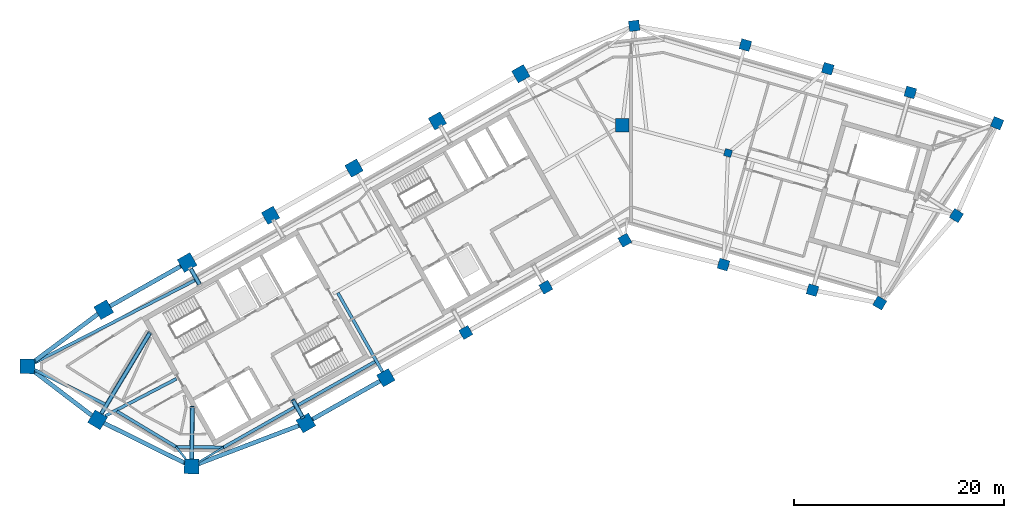
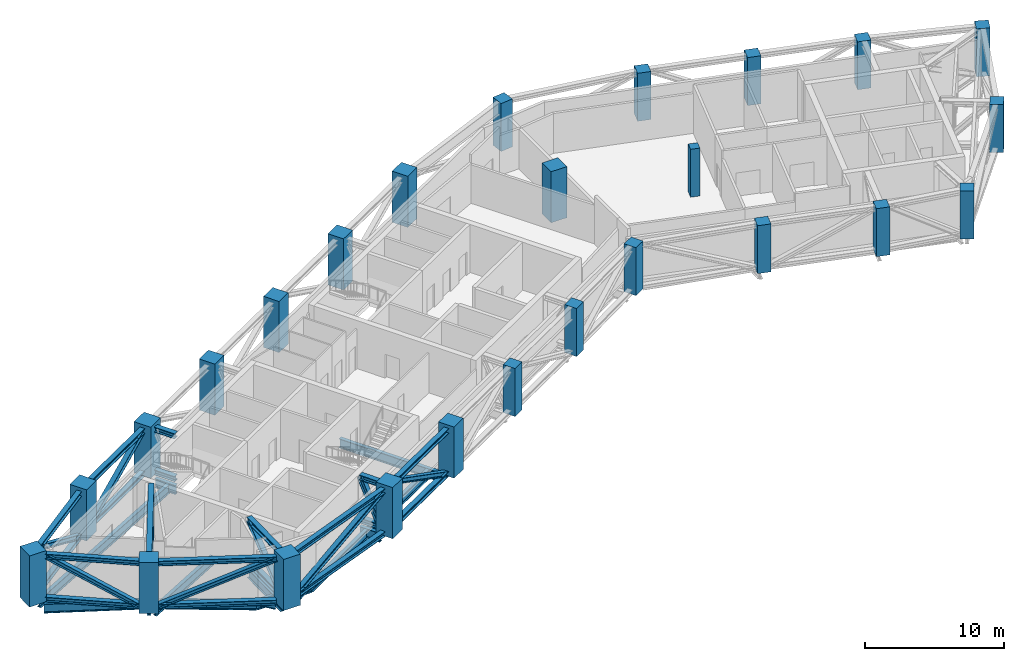
# One storey, part 1 of 13: 29 members, 25 columns, 15 beams.
"""IFC4 building model written with IfcOpenShell, lengths in metres."""

from ifc_helpers import new_model, si_unit, direction, frame, origin, origin_2d, place, context, subcontext, project, spatial, rectangle, i_section, extrude, material, material_profile, profile_set, type_object, element, save


model = new_model("IFC4")

# Units and contexts
model_context = context("Model", 3, precision=1e-05, world=origin(), true_north=direction((0.0, 1.0)))
body_context = subcontext(model_context, "Body", "Model", "MODEL_VIEW")
ifc_project = project(units=[si_unit("LENGTHUNIT", "METRE"), si_unit("AREAUNIT", "SQUARE_METRE"), si_unit("VOLUMEUNIT", "CUBIC_METRE"), si_unit("PLANEANGLEUNIT", "RADIAN"), si_unit("MASSUNIT", "GRAM", prefix="KILO")], contexts=[model_context])

# Site, building, storey
site_placement = place(None, origin())
site = spatial("IfcSite", under=ifc_project, at=site_placement, CompositionType="ELEMENT")
building_placement = place(site_placement, origin())
building = spatial("IfcBuilding", under=site, at=building_placement, Name="Binnacle Exchange Tower", CompositionType="ELEMENT")
storey_placement = place(building_placement, frame((0.0, 0.0, 258.199951171875)))
storey = spatial("IfcBuildingStorey", under=building, at=storey_placement, Name="L57", CompositionType="ELEMENT", Elevation=258.199951171875)

# Columns
ifc_material_1 = material(Name="Concrete C60/75", Category="concrete")
ifc_material_profile_1 = material_profile(ifc_material_1, rectangle(XDim=0.699951171875, YDim=0.699951171875, at=origin_2d()), Name="Column 700x700 C60/75")
ifc_profile_set_1 = profile_set([ifc_material_profile_1], Name="Concrete C60/75")
column_type_1 = type_object("IfcColumnType", Name="Column 700x700 C60/75", PredefinedType="COLUMN", material=ifc_profile_set_1)
column_placement = place(storey_placement, frame((9.240966796875, 57.35009765625, 0.0), z_axis=(0.0, 0.0, 1.0), x_axis=(0.961261695938, -0.275637355817, 0.0)))
element("IfcColumn", 1, at=column_placement, inside=storey, type_object=column_type_1, Name="S:COL:C19:L57", PredefinedType="COLUMN", context=body_context, shape_type="SweptSolid", body=[
    extrude(rectangle(XDim=0.699951171875, YDim=0.699951171875, at=origin_2d()), origin(), (0.0, 0.0, 1.0), 4.219970703125),
])
ifc_material_profile_2 = material_profile(ifc_material_1, rectangle(XDim=1.0, YDim=1.0, at=origin_2d()), Name="Mega column 1000x1000 C60/75")
ifc_profile_set_2 = profile_set([ifc_material_profile_2], Name="Concrete C60/75")
column_type_2 = type_object("IfcColumnType", Name="Mega column 1000x1000 C60/75", PredefinedType="COLUMN", material=ifc_profile_set_2)
for number, where, z_axis, x_axis, name in (
    (2, (26.602783203125, 63.12353515625, 0.0), (0.0, 0.0, 1.0), (-0.961261695938, 0.275637355817, 0.0), "S:COL:MC52:L57"),
    (3, (18.746337890625, 65.376220703125, 0.0), (0.0, 0.0, 1.0), (-0.961261695938, 0.275637355817, 0.0), "S:COL:MC50:L57"),
    (4, (10.889892578125, 67.62890625, 0.0), (0.0, 0.0, 1.0), (-0.961261695938, 0.275637355817, 0.0), "S:COL:MC48:L57"),
    (5, (0.300048828125, 69.464111328125, 0.0), (0.0, 0.0, 1.0), (-0.993068456955, -0.117537397458, 0.0), "S:COL:MC47:L57"),
    (6, (-15.736328125, 40.257080078125, 0.0), (0.0, 0.0, 1.0), (0.87035569594, 0.492423560103, 0.0), "S:COL:MC24:L57"),
    (7, (-8.116943359375, 44.568115234375, 0.0), (0.0, 0.0, 1.0), (0.87035569594, 0.492423560103, 0.0), "S:COL:MC35:L57"),
    (8, (-0.5908203125, 49.04443359375, 0.0), (0.0, 0.0, 1.0), (0.87035569594, 0.492423560103, 0.0), "S:COL:MC46:L57"),
    (9, (8.8095703125, 46.722412109375, 0.0), (0.0, 0.0, 1.0), (0.961261695938, -0.275637355817, 0.0), "S:COL:MC49:L57"),
    (10, (17.2880859375, 44.291015625, 0.0), (0.0, 0.0, 1.0), (0.961261695938, -0.275637355817, 0.0), "S:COL:MC51:L57"),
    (11, (23.690185546875, 43.062744140625, 0.0), (0.0, 0.0, 1.0), (-0.86532642813, 0.501208711795, 0.0), "S:COL:MC53:L57"),
    (12, (30.989501953125, 51.38623046875, 0.0), (0.0, 0.0, 1.0), (0.529919264233, 0.848048096156, 0.0), "S:COL:MC55:L57"),
    (13, (34.870361328125, 60.18701171875, 0.0), (0.0, 0.0, 1.0), (-0.922814001807, 0.385245789164, 0.0), "S:COL:MC54:L57"),
):
    element("IfcColumn", number, at=place(storey_placement, frame(where, z_axis=z_axis, x_axis=x_axis)), inside=storey, type_object=column_type_2, Name=name, PredefinedType="COLUMN", context=body_context, shape_type="SweptSolid", body=[
        extrude(rectangle(XDim=1.0, YDim=1.0, at=origin_2d()), origin(), (0.0, 0.0, 1.0), 4.219970703125),
    ])
ifc_material_profile_3 = material_profile(ifc_material_1, rectangle(XDim=1.300048828125, YDim=1.300048828125, at=origin_2d()), Name="Mega column 1300x1300 C60/75")
ifc_profile_set_3 = profile_set([ifc_material_profile_3], Name="Concrete C60/75")
column_type_3 = type_object("IfcColumnType", Name="Mega column 1300x1300 C60/75", PredefinedType="COLUMN", material=ifc_profile_set_3)
for number, where, z_axis, x_axis, name in (
    (14, (-10.4951171875, 64.901611328125, 0.0), (0.0, 0.0, 1.0), (-0.87035569594, -0.492423560103, 0.0), "S:COL:MC38:L57"),
    (15, (-18.44140625, 60.406005859375, 0.0), (0.0, 0.0, 1.0), (-0.87035569594, -0.492423560103, 0.0), "S:COL:MC29:L57"),
    (16, (-26.3876953125, 55.91015625, 0.0), (0.0, 0.0, 1.0), (-0.87035569594, -0.492423560103, 0.0), "S:COL:MC21:L57"),
    (17, (-34.333740234375, 51.414306640625, 0.0), (0.0, 0.0, 1.0), (-0.87035569594, -0.492423560103, 0.0), "S:COL:MC13:L57"),
    (18, (-23.35595703125, 35.9462890625, 0.0), (0.0, 0.0, 1.0), (0.87035569594, 0.492423560103, 0.0), "S:COL:MC16:L57"),
    (19, (-0.85009765625, 60.0, 0.0), (0.0, 0.0, 1.0), (0.0, 1.0, 0.0), "S:COL:MC45:L57"),
):
    element("IfcColumn", number, at=place(storey_placement, frame(where, z_axis=z_axis, x_axis=x_axis)), inside=storey, type_object=column_type_3, Name=name, PredefinedType="COLUMN", context=body_context, shape_type="SweptSolid", body=[
        extrude(rectangle(XDim=1.300048828125, YDim=1.300048828125, at=origin_2d()), origin(), (0.0, 0.0, 1.0), 4.5),
    ])
ifc_material_profile_4 = material_profile(ifc_material_1, rectangle(XDim=1.39990234375, YDim=1.39990234375, at=origin_2d()), Name="Mega column 1400x1400 C60/75")
ifc_profile_set_4 = profile_set([ifc_material_profile_4], Name="Concrete C60/75")
column_type_4 = type_object("IfcColumnType", Name="Mega column 1400x1400 C60/75", PredefinedType="COLUMN", material=ifc_profile_set_4)
for number, where, z_axis, x_axis, name in (
    (20, (-42.280029296875, 46.918701171875, 0.0), (0.0, 0.0, 1.0), (-0.87035569594, -0.492423560103, 0.0), "S:COL:MC08:L57"),
    (21, (-50.226318359375, 42.4228515625, 0.0), (0.0, 0.0, 1.0), (-0.87035569594, -0.492423560103, 0.0), "S:COL:MC04:L57"),
    (22, (-57.492919921875, 37.02734375, 0.0), (0.0, 0.0, 1.0), (-0.013089595571, -0.999914327574, 0.0), "S:COL:MC02:L57"),
    (23, (-50.81201171875, 31.930908203125, 0.0), (0.0, 0.0, 1.0), (0.857167300702, -0.51503807491, 0.0), "S:COL:MC01:L57"),
    (24, (-41.857666015625, 27.494873046875, 0.0), (0.0, 0.0, 1.0), (0.999914327574, -0.013089595571, 0.0), "S:COL:MC03:L57"),
    (25, (-30.9755859375, 31.63525390625, 0.0), (0.0, 0.0, 1.0), (0.87035569594, 0.492423560103, 0.0), "S:COL:MC07:L57"),
):
    element("IfcColumn", number, at=place(storey_placement, frame(where, z_axis=z_axis, x_axis=x_axis)), inside=storey, type_object=column_type_4, Name=name, PredefinedType="COLUMN", context=body_context, shape_type="SweptSolid", body=[
        extrude(rectangle(XDim=1.39990234375, YDim=1.39990234375, at=origin_2d()), origin(), (0.0, 0.0, 1.0), 4.5),
    ])

# Members
ifc_material_2 = material(Name="Steel S355 (SHN355)", Category="steel")
ifc_material_profile_5 = material_profile(ifc_material_2, i_section(OverallWidth=0.406982421875, OverallDepth=0.427978515625, WebThickness=0.02001953125, FlangeThickness=0.034912109375, FilletRadius=0.02197265625, at=origin_2d()), Name="H 428x407x20x35")
ifc_profile_set_5 = profile_set([ifc_material_profile_5], Name="Steel S355 (SHN355)")
member_type_1 = type_object("IfcMemberType", Name="Belt truss chord BT57C H 428x407x20x35 Steel S355 (SHN355)", PredefinedType="CHORD", material=ifc_profile_set_5)
for number, where, z_axis, x_axis, name in (
    (26, (-41.154052734375, 27.762451171875, 4.006103515625), (0.934627442278, 0.355628379268, 0.0), (-0.355628379268, 0.934627442278, 0.0), "S:TR:L57:BEL:001"),
    (27, (-41.154052734375, 27.762451171875, 0.214111328125), (0.934627442278, 0.355628379268, 0.0), (-0.355628379268, 0.934627442278, 0.0), "S:TR:L57:BEL:002"),
):
    element("IfcMember", number, at=place(storey_placement, frame(where, z_axis=z_axis, x_axis=x_axis)), inside=storey, type_object=member_type_1, Name=name, PredefinedType="CHORD", context=body_context, shape_type="SweptSolid", body=[
        extrude(i_section(OverallWidth=0.406982421875, OverallDepth=0.427978515625, WebThickness=0.02001953125, FlangeThickness=0.034912109375, FilletRadius=0.02197265625, at=origin_2d()), origin(), (0.0, 0.0, 1.0), 10.18212890625),
    ])
for number, where, z_axis, x_axis, name in (
    (28, (-30.3662109375, 31.97998046875, 4.006103515625), (0.87035151347, 0.49243095252, 0.0), (-0.49243095252, 0.87035151347, 0.0), "S:TR:L57:BEL:004"),
    (29, (-30.3662109375, 31.97998046875, 0.214111328125), (0.87035151347, 0.49243095252, 0.0), (-0.49243095252, 0.87035151347, 0.0), "S:TR:L57:BEL:005"),
):
    element("IfcMember", number, at=place(storey_placement, frame(where, z_axis=z_axis, x_axis=x_axis)), inside=storey, type_object=member_type_1, Name=name, PredefinedType="CHORD", context=body_context, shape_type="SweptSolid", body=[
        extrude(i_section(OverallWidth=0.406982421875, OverallDepth=0.427978515625, WebThickness=0.02001953125, FlangeThickness=0.034912109375, FilletRadius=0.02197265625, at=origin_2d()), origin(), (0.0, 0.0, 1.0), 7.404541015625),
    ])
for number, where, z_axis, x_axis, name in (
    (30, (-42.88916015625, 46.573974609375, 4.006103515625), (-0.870355702011, -0.492423549372, 0.0), (0.492423549372, -0.870355702011, 0.0), "S:TR:L57:BEL:058"),
    (31, (-42.88916015625, 46.573974609375, 0.214111328125), (-0.870355702011, -0.492423549372, 0.0), (0.492423549372, -0.870355702011, 0.0), "S:TR:L57:BEL:059"),
):
    element("IfcMember", number, at=place(storey_placement, frame(where, z_axis=z_axis, x_axis=x_axis)), inside=storey, type_object=member_type_1, Name=name, PredefinedType="CHORD", context=body_context, shape_type="SweptSolid", body=[
        extrude(i_section(OverallWidth=0.406982421875, OverallDepth=0.427978515625, WebThickness=0.02001953125, FlangeThickness=0.034912109375, FilletRadius=0.02197265625, at=origin_2d()), origin(), (0.0, 0.0, 1.0), 7.72998046875),
    ])
for number, where, z_axis, x_axis, name in (
    (32, (-50.79248046875, 42.00244140625, 4.006103515625), (-0.802886959261, -0.596131303194, 0.0), (0.596131303194, -0.802886959261, 0.0), "S:TR:L57:BEL:061"),
    (33, (-50.79248046875, 42.00244140625, 0.214111328125), (-0.802886959261, -0.596131303194, 0.0), (0.596131303194, -0.802886959261, 0.0), "S:TR:L57:BEL:062"),
):
    element("IfcMember", number, at=place(storey_placement, frame(where, z_axis=z_axis, x_axis=x_axis)), inside=storey, type_object=member_type_1, Name=name, PredefinedType="CHORD", context=body_context, shape_type="SweptSolid", body=[
        extrude(i_section(OverallWidth=0.406982421875, OverallDepth=0.427978515625, WebThickness=0.02001953125, FlangeThickness=0.034912109375, FilletRadius=0.02197265625, at=origin_2d()), origin(), (0.0, 0.0, 1.0), 7.465087890625),
    ])
for number, where, z_axis, x_axis, name in (
    (34, (-56.7998046875, 36.49853515625, 4.006103515625), (0.795081038606, -0.606503208606, 0.0), (0.606503208606, 0.795081038606, 0.0), "S:TR:L57:BEL:064"),
    (35, (-56.7998046875, 36.49853515625, 0.214111328125), (0.795081038606, -0.606503208606, 0.0), (0.606503208606, 0.795081038606, 0.0), "S:TR:L57:BEL:065"),
):
    element("IfcMember", number, at=place(storey_placement, frame(where, z_axis=z_axis, x_axis=x_axis)), inside=storey, type_object=member_type_1, Name=name, PredefinedType="CHORD", context=body_context, shape_type="SweptSolid", body=[
        extrude(i_section(OverallWidth=0.406982421875, OverallDepth=0.427978515625, WebThickness=0.02001953125, FlangeThickness=0.034912109375, FilletRadius=0.02197265625, at=origin_2d()), origin(), (0.0, 0.0, 1.0), 6.82666015625),
    ])
for number, where, z_axis, x_axis, name in (
    (36, (-50.1826171875, 31.619140625, 4.006103515625), (0.896061326398, -0.443930286569, 0.0), (0.443930286569, 0.896061326398, 0.0), "S:TR:L57:BEL:067"),
    (37, (-50.1826171875, 31.619140625, 0.214111328125), (0.896061326398, -0.443930286569, 0.0), (0.443930286569, 0.896061326398, 0.0), "S:TR:L57:BEL:068"),
):
    element("IfcMember", number, at=place(storey_placement, frame(where, z_axis=z_axis, x_axis=x_axis)), inside=storey, type_object=member_type_1, Name=name, PredefinedType="CHORD", context=body_context, shape_type="SweptSolid", body=[
        extrude(i_section(OverallWidth=0.406982421875, OverallDepth=0.427978515625, WebThickness=0.02001953125, FlangeThickness=0.034912109375, FilletRadius=0.02197265625, at=origin_2d()), origin(), (0.0, 0.0, 1.0), 8.514404296875),
    ])
ifc_material_profile_6 = material_profile(ifc_material_2, i_section(OverallWidth=0.39990234375, OverallDepth=0.39990234375, WebThickness=0.012939453125, FlangeThickness=0.02099609375, FilletRadius=0.02197265625, at=origin_2d()), Name="H 400x400x13x21")
ifc_profile_set_6 = profile_set([ifc_material_profile_6], Name="Steel S355 (SHN355)")
member_type_2 = type_object("IfcMemberType", Name="Belt truss diagonal BT57D H 400x400x13x21 Steel S355 (SHN355)", PredefinedType="BRACE", material=ifc_profile_set_6)
member_1_placement = place(storey_placement, frame((-41.154052734375, 27.762451171875, 0.214111328125), z_axis=(0.875861813982, 0.333267891867, 0.348996554509), x_axis=(-0.355628379268, 0.934627442278, 0.0)))
element("IfcMember", 38, at=member_1_placement, inside=storey, type_object=member_type_2, Name="S:TR:L57:BEL:003", PredefinedType="BRACE", context=body_context, shape_type="SweptSolid", body=[
    extrude(i_section(OverallWidth=0.39990234375, OverallDepth=0.39990234375, WebThickness=0.012939453125, FlangeThickness=0.02099609375, FilletRadius=0.02197265625, at=origin_2d()), origin(), (0.0, 0.0, 1.0), 10.865478515625),
])
member_2_placement = place(storey_placement, frame((-30.3662109375, 31.97998046875, 4.006103515625), z_axis=(0.774675771741, 0.43829914956, -0.455819376697), x_axis=(-0.49243095252, 0.87035151347, 0.0)))
element("IfcMember", 39, at=member_2_placement, inside=storey, type_object=member_type_2, Name="S:TR:L57:BEL:006", PredefinedType="BRACE", context=body_context, shape_type="SweptSolid", body=[
    extrude(i_section(OverallWidth=0.39990234375, OverallDepth=0.39990234375, WebThickness=0.012939453125, FlangeThickness=0.02099609375, FilletRadius=0.02197265625, at=origin_2d()), origin(), (0.0, 0.0, 1.0), 8.319091796875),
])
member_3_placement = place(storey_placement, frame((-42.88916015625, 46.573974609375, 4.006103515625), z_axis=(-0.78139796592, -0.442093685331, -0.440420699157), x_axis=(0.492423549372, -0.870355702011, 0.0)))
element("IfcMember", 40, at=member_3_placement, inside=storey, type_object=member_type_2, Name="S:TR:L57:BEL:060", PredefinedType="BRACE", context=body_context, shape_type="SweptSolid", body=[
    extrude(i_section(OverallWidth=0.39990234375, OverallDepth=0.39990234375, WebThickness=0.012939453125, FlangeThickness=0.02099609375, FilletRadius=0.02197265625, at=origin_2d()), origin(), (0.0, 0.0, 1.0), 8.60986328125),
])
member_4_placement = place(storey_placement, frame((-50.79248046875, 42.00244140625, 0.214111328125), z_axis=(-0.715829994398, -0.531492836574, 0.452882748391), x_axis=(0.596131303194, -0.802886959261, 0.0)))
element("IfcMember", 41, at=member_4_placement, inside=storey, type_object=member_type_2, Name="S:TR:L57:BEL:063", PredefinedType="BRACE", context=body_context, shape_type="SweptSolid", body=[
    extrude(i_section(OverallWidth=0.39990234375, OverallDepth=0.39990234375, WebThickness=0.012939453125, FlangeThickness=0.02099609375, FilletRadius=0.02197265625, at=origin_2d()), origin(), (0.0, 0.0, 1.0), 8.373046875),
])
member_5_placement = place(storey_placement, frame((-56.7998046875, 36.49853515625, 4.006103515625), z_axis=(0.695051255635, -0.53019855363, -0.485585467008), x_axis=(0.606503208606, 0.795081038606, 0.0)))
element("IfcMember", 42, at=member_5_placement, inside=storey, type_object=member_type_2, Name="S:TR:L57:BEL:066", PredefinedType="BRACE", context=body_context, shape_type="SweptSolid", body=[
    extrude(i_section(OverallWidth=0.39990234375, OverallDepth=0.39990234375, WebThickness=0.012939453125, FlangeThickness=0.02099609375, FilletRadius=0.02197265625, at=origin_2d()), origin(), (0.0, 0.0, 1.0), 7.80908203125),
])
member_6_placement = place(storey_placement, frame((-50.1826171875, 31.619140625, 0.214111328125), z_axis=(0.818551597813, -0.405530106795, 0.406839789352), x_axis=(0.443930286569, 0.896061326398, 0.0)))
element("IfcMember", 43, at=member_6_placement, inside=storey, type_object=member_type_2, Name="S:TR:L57:BEL:069", PredefinedType="BRACE", context=body_context, shape_type="SweptSolid", body=[
    extrude(i_section(OverallWidth=0.39990234375, OverallDepth=0.39990234375, WebThickness=0.012939453125, FlangeThickness=0.02099609375, FilletRadius=0.02197265625, at=origin_2d()), origin(), (0.0, 0.0, 1.0), 9.320556640625),
])

# Beams
ifc_material_profile_7 = material_profile(ifc_material_2, i_section(OverallWidth=0.300048828125, OverallDepth=0.800048828125, WebThickness=0.013916015625, FlangeThickness=0.02587890625, FilletRadius=0.028076171875, at=origin_2d()), Name="H 800x300x14x26")
ifc_profile_set_7 = profile_set([ifc_material_profile_7], Name="Steel S355 (SHN355)")
beam_type_1 = type_object("IfcBeamType", Name="Edge girder H 800x300x14x26 Steel S355 (SHN355)", PredefinedType="SPANDREL", material=ifc_profile_set_7)
beam_1_placement = place(storey_placement, frame((-56.7880859375, 37.3896484375, -0.75), z_axis=(0.889436843066, 0.457058094992, 0.0), x_axis=(-0.457058094992, 0.889436843066, 0.0)))
element("IfcBeam", 44, at=beam_1_placement, inside=storey, type_object=beam_type_1, Name="S:BM:edge:L57:011", PredefinedType="SPANDREL", context=body_context, shape_type="SweptSolid", body=[
    extrude(i_section(OverallWidth=0.300048828125, OverallDepth=0.800048828125, WebThickness=0.013916015625, FlangeThickness=0.02587890625, FilletRadius=0.028076171875, at=origin_2d()), origin(), (0.0, 0.0, 1.0), 17.183349609375),
])
beam_2_placement = place(storey_placement, frame((-50.091064453125, 33.422607421875, -0.75), z_axis=(-0.899045703355, 0.437854797025, 0.0), x_axis=(-0.437854797025, -0.899045703355, 0.0)))
element("IfcBeam", 45, at=beam_2_placement, inside=storey, type_object=beam_type_1, Name="S:BM:edge:L57:012", PredefinedType="SPANDREL", context=body_context, shape_type="SweptSolid", body=[
    extrude(i_section(OverallWidth=0.300048828125, OverallDepth=0.800048828125, WebThickness=0.013916015625, FlangeThickness=0.02587890625, FilletRadius=0.028076171875, at=origin_2d()), origin(), (0.0, 0.0, 1.0), 7.45947265625),
])
beam_3_placement = place(storey_placement, frame((-43.336669921875, 29.364013671875, -0.75), z_axis=(-0.857161532576, 0.515047674563, 0.0), x_axis=(-0.515047674563, -0.857161532576, 0.0)))
element("IfcBeam", 46, at=beam_3_placement, inside=storey, type_object=beam_type_1, Name="S:BM:edge:L57:013", PredefinedType="SPANDREL", context=body_context, shape_type="SweptSolid", body=[
    extrude(i_section(OverallWidth=0.300048828125, OverallDepth=0.800048828125, WebThickness=0.013916015625, FlangeThickness=0.02587890625, FilletRadius=0.028076171875, at=origin_2d()), origin(), (0.0, 0.0, 1.0), 6.56884765625),
])
beam_4_placement = place(storey_placement, frame((-41.983154296875, 29.346435546875, -0.75), z_axis=(-0.999915679413, 0.012985917914, 0.0), x_axis=(-0.012985917914, -0.999915679413, 0.0)))
element("IfcBeam", 47, at=beam_4_placement, inside=storey, type_object=beam_type_1, Name="S:BM:edge:L57:014", PredefinedType="SPANDREL", context=body_context, shape_type="SweptSolid", body=[
    extrude(i_section(OverallWidth=0.300048828125, OverallDepth=0.800048828125, WebThickness=0.013916015625, FlangeThickness=0.02587890625, FilletRadius=0.028076171875, at=origin_2d()), origin(), (0.0, 0.0, 1.0), 1.353515625),
])
beam_5_placement = place(storey_placement, frame((-38.830810546875, 29.30517578125, -0.75), z_axis=(-0.999914273731, 0.013093707967, 0.0), x_axis=(-0.013093707967, -0.999914273731, 0.0)))
element("IfcBeam", 48, at=beam_5_placement, inside=storey, type_object=beam_type_1, Name="S:BM:edge:L57:016", PredefinedType="SPANDREL", context=body_context, shape_type="SweptSolid", body=[
    extrude(i_section(OverallWidth=0.300048828125, OverallDepth=0.800048828125, WebThickness=0.013916015625, FlangeThickness=0.02587890625, FilletRadius=0.028076171875, at=origin_2d()), origin(), (0.0, 0.0, 1.0), 2.852783203125),
])
beam_6_placement = place(storey_placement, frame((-32.01220703125, 33.162841796875, -0.75), z_axis=(-0.870361945489, -0.492412513899, 0.0), x_axis=(0.492412513899, -0.870361945489, 0.0)))
element("IfcBeam", 49, at=beam_6_placement, inside=storey, type_object=beam_type_1, Name="S:BM:edge:L57:018", PredefinedType="SPANDREL", context=body_context, shape_type="SweptSolid", body=[
    extrude(i_section(OverallWidth=0.300048828125, OverallDepth=0.800048828125, WebThickness=0.013916015625, FlangeThickness=0.02587890625, FilletRadius=0.028076171875, at=origin_2d()), origin(), (0.0, 0.0, 1.0), 7.834228515625),
])
beam_7_placement = place(storey_placement, frame((-24.39208984375, 37.47412109375, -0.75), z_axis=(-0.870356795496, -0.49242161664, 0.0), x_axis=(0.49242161664, -0.870356795496, 0.0)))
element("IfcBeam", 50, at=beam_7_placement, inside=storey, type_object=beam_type_1, Name="S:BM:edge:L57:020", PredefinedType="SPANDREL", context=body_context, shape_type="SweptSolid", body=[
    extrude(i_section(OverallWidth=0.300048828125, OverallDepth=0.800048828125, WebThickness=0.013916015625, FlangeThickness=0.02587890625, FilletRadius=0.028076171875, at=origin_2d()), origin(), (0.0, 0.0, 1.0), 8.455322265625),
])
ifc_material_profile_8 = material_profile(ifc_material_2, i_section(OverallWidth=0.199951171875, OverallDepth=0.39990234375, WebThickness=0.008056640625, FlangeThickness=0.012939453125, FilletRadius=0.01611328125, at=origin_2d()), Name="H 400x200x8x13")
ifc_profile_set_8 = profile_set([ifc_material_profile_8], Name="Steel S355 (SHN355)")
beam_type_2 = type_object("IfcBeamType", Name="Floor beam H 400x200x8x13 Steel S355 (SHN355)", PredefinedType="BEAM", material=ifc_profile_set_8)
beam_8_placement = place(storey_placement, frame((-42.417236328125, 28.2021484375, -0.550048828125), z_axis=(-0.620546772852, 0.784169434945, 0.0), x_axis=(-0.784169434945, -0.620546772852, 0.0)))
element("IfcBeam", 51, at=beam_8_placement, inside=storey, type_object=beam_type_2, Name="S:BM:cross:L57:039", PredefinedType="BEAM", context=body_context, shape_type="SweptSolid", body=[
    extrude(i_section(OverallWidth=0.199951171875, OverallDepth=0.39990234375, WebThickness=0.008056640625, FlangeThickness=0.012939453125, FilletRadius=0.01611328125, at=origin_2d()), origin(), (0.0, 0.0, 1.0), 1.481689453125),
])
beam_9_placement = place(storey_placement, frame((-41.152099609375, 27.916748046875, -0.550048828125), z_axis=(0.858200925719, 0.513313910872, 0.0), x_axis=(-0.513313910872, 0.858200925719, 0.0)))
element("IfcBeam", 52, at=beam_9_placement, inside=storey, type_object=beam_type_2, Name="S:BM:cross:L57:042", PredefinedType="BEAM", context=body_context, shape_type="SweptSolid", body=[
    extrude(i_section(OverallWidth=0.199951171875, OverallDepth=0.39990234375, WebThickness=0.008056640625, FlangeThickness=0.012939453125, FilletRadius=0.01611328125, at=origin_2d()), origin(), (0.0, 0.0, 1.0), 2.704833984375),
])
ifc_material_profile_9 = material_profile(ifc_material_2, i_section(OverallWidth=0.300048828125, OverallDepth=0.800048828125, WebThickness=0.013916015625, FlangeThickness=0.02587890625, FilletRadius=0.028076171875, at=origin_2d()), Name="H 800x300x14x26")
ifc_profile_set_9 = profile_set([ifc_material_profile_9], Name="Steel S355 (SHN355)")
beam_type_3 = type_object("IfcBeamType", Name="Floor beam H 800x300x14x26 Steel S355 (SHN355)", PredefinedType="BEAM", material=ifc_profile_set_9)
beam_10_placement = place(storey_placement, frame((-41.935302734375, 46.3095703125, -0.75), z_axis=(0.492405102951, -0.870366138236, 0.0), x_axis=(0.870366138236, 0.492405102951, 0.0)))
element("IfcBeam", 53, at=beam_10_placement, inside=storey, type_object=beam_type_3, Name="S:BM:cross:L57:040", PredefinedType="BEAM", context=body_context, shape_type="SweptSolid", body=[
    extrude(i_section(OverallWidth=0.300048828125, OverallDepth=0.800048828125, WebThickness=0.013916015625, FlangeThickness=0.02587890625, FilletRadius=0.028076171875, at=origin_2d()), origin(), (0.0, 0.0, 1.0), 1.734375),
])
beam_11_placement = place(storey_placement, frame((-41.848388671875, 28.194580078125, -0.75), z_axis=(0.013067878487, 0.99991461163, 0.0), x_axis=(-0.99991461163, 0.013067878487, 0.0)))
element("IfcBeam", 54, at=beam_11_placement, inside=storey, type_object=beam_type_3, Name="S:BM:cross:L57:041", PredefinedType="BEAM", context=body_context, shape_type="SweptSolid", body=[
    extrude(i_section(OverallWidth=0.300048828125, OverallDepth=0.800048828125, WebThickness=0.013916015625, FlangeThickness=0.02587890625, FilletRadius=0.028076171875, at=origin_2d()), origin(), (0.0, 0.0, 1.0), 4.950927734375),
])
beam_12_placement = place(storey_placement, frame((-31.3203125, 32.244384765625, -0.75), z_axis=(-0.492405102951, 0.870366138236, 0.0), x_axis=(-0.870366138236, -0.492405102951, 0.0)))
element("IfcBeam", 55, at=beam_12_placement, inside=storey, type_object=beam_type_3, Name="S:BM:cross:L57:044", PredefinedType="BEAM", context=body_context, shape_type="SweptSolid", body=[
    extrude(i_section(OverallWidth=0.300048828125, OverallDepth=0.800048828125, WebThickness=0.013916015625, FlangeThickness=0.02587890625, FilletRadius=0.028076171875, at=origin_2d()), origin(), (0.0, 0.0, 1.0), 1.734375),
])
ifc_material_profile_10 = material_profile(ifc_material_2, i_section(OverallWidth=0.302001953125, OverallDepth=0.80810546875, WebThickness=0.01611328125, FlangeThickness=0.030029296875, FilletRadius=0.028076171875, at=origin_2d()), Name="H 808x302x16x30")
ifc_profile_set_10 = profile_set([ifc_material_profile_10], Name="Steel S355 (SHN355)")
beam_type_4 = type_object("IfcBeamType", Name="Floor beam H 808x302x16x30 Steel S355 (SHN355)", PredefinedType="BEAM", material=ifc_profile_set_10)
beam_13_placement = place(storey_placement, frame((-50.451416015625, 32.531005859375, -0.75390625), z_axis=(0.515041269466, 0.857165381211, 0.0), x_axis=(-0.857165381211, 0.515041269466, 0.0)))
element("IfcBeam", 56, at=beam_13_placement, inside=storey, type_object=beam_type_4, Name="S:BM:cross:L57:038", PredefinedType="BEAM", context=body_context, shape_type="SweptSolid", body=[
    extrude(i_section(OverallWidth=0.302001953125, OverallDepth=0.80810546875, WebThickness=0.01611328125, FlangeThickness=0.030029296875, FilletRadius=0.028076171875, at=origin_2d()), origin(), (0.0, 0.0, 1.0), 9.014892578125),
])
beam_14_placement = place(storey_placement, frame((-23.676025390625, 36.511962890625, -0.75390625), z_axis=(-0.492422448747, 0.870356324714, 0.0), x_axis=(-0.870356324714, -0.492422448747, 0.0)))
element("IfcBeam", 57, at=beam_14_placement, inside=storey, type_object=beam_type_4, Name="S:BM:cross:L57:046", PredefinedType="BEAM", context=body_context, shape_type="SweptSolid", body=[
    extrude(i_section(OverallWidth=0.302001953125, OverallDepth=0.80810546875, WebThickness=0.01611328125, FlangeThickness=0.030029296875, FilletRadius=0.028076171875, at=origin_2d()), origin(), (0.0, 0.0, 1.0), 8.63427734375),
])

# Members
ifc_material_3 = material(Name="Steel S460 (SHN460)", Category="steel")
ifc_material_profile_11 = material_profile(ifc_material_3, i_section(OverallWidth=0.4169921875, OverallDepth=0.4580078125, WebThickness=0.030029296875, FlangeThickness=0.050048828125, FilletRadius=0.02197265625, at=origin_2d()), Name="H 458x417x30x50")
ifc_profile_set_11 = profile_set([ifc_material_profile_11], Name="Steel S460 (SHN460)")
member_type_3 = type_object("IfcMemberType", Name="Outrigger truss chord OT57C H 458x417x30x50 Steel S460 (SHN460)", PredefinedType="CHORD", material=ifc_profile_set_11)
for number, where, z_axis, x_axis, name in (
    (58, (-50.451416015625, 32.531005859375, 3.990966796875), (0.515023705147, 0.857175934763, 0.0), (-0.857175934763, 0.515023705147, 0.0), "S:TR:L57:OUT:070"),
    (59, (-50.451416015625, 32.531005859375, 0.22900390625), (0.515023705147, 0.857175934763, 0.0), (-0.857175934763, 0.515023705147, 0.0), "S:TR:L57:OUT:071"),
):
    element("IfcMember", number, at=place(storey_placement, frame(where, z_axis=z_axis, x_axis=x_axis)), inside=storey, type_object=member_type_3, Name=name, PredefinedType="CHORD", context=body_context, shape_type="SweptSolid", body=[
        extrude(i_section(OverallWidth=0.4169921875, OverallDepth=0.4580078125, WebThickness=0.030029296875, FlangeThickness=0.050048828125, FilletRadius=0.02197265625, at=origin_2d()), origin(), (0.0, 0.0, 1.0), 8.974853515625),
    ])
for number, where, z_axis, x_axis, name in (
    (60, (-41.935302734375, 46.3095703125, 3.990966796875), (0.492332600402, -0.870407152189, 0.0), (0.870407152189, 0.492332600402, 0.0), "S:TR:L57:OUT:073"),
    (61, (-41.935302734375, 46.3095703125, 0.22900390625), (0.492332600402, -0.870407152189, 0.0), (0.870407152189, 0.492332600402, 0.0), "S:TR:L57:OUT:074"),
):
    element("IfcMember", number, at=place(storey_placement, frame(where, z_axis=z_axis, x_axis=x_axis)), inside=storey, type_object=member_type_3, Name=name, PredefinedType="CHORD", context=body_context, shape_type="SweptSolid", body=[
        extrude(i_section(OverallWidth=0.4169921875, OverallDepth=0.4580078125, WebThickness=0.030029296875, FlangeThickness=0.050048828125, FilletRadius=0.02197265625, at=origin_2d()), origin(), (0.0, 0.0, 1.0), 1.6943359375),
    ])
for number, where, z_axis, x_axis, name in (
    (62, (-41.848388671875, 28.194580078125, 3.990966796875), (0.013075002156, 0.999914518506, 0.0), (-0.999914518506, 0.013075002156, 0.0), "S:TR:L57:OUT:076"),
    (63, (-41.848388671875, 28.194580078125, 0.22900390625), (0.013075002156, 0.999914518506, 0.0), (-0.999914518506, 0.013075002156, 0.0), "S:TR:L57:OUT:077"),
):
    element("IfcMember", number, at=place(storey_placement, frame(where, z_axis=z_axis, x_axis=x_axis)), inside=storey, type_object=member_type_3, Name=name, PredefinedType="CHORD", context=body_context, shape_type="SweptSolid", body=[
        extrude(i_section(OverallWidth=0.4169921875, OverallDepth=0.4580078125, WebThickness=0.030029296875, FlangeThickness=0.050048828125, FilletRadius=0.02197265625, at=origin_2d()), origin(), (0.0, 0.0, 1.0), 4.910888671875),
    ])
for number, where, z_axis, x_axis, name in (
    (64, (-31.3203125, 32.244384765625, 3.990966796875), (-0.492394350893, 0.870372221069, 0.0), (-0.870372221069, -0.492394350893, 0.0), "S:TR:L57:OUT:082"),
    (65, (-31.3203125, 32.244384765625, 0.22900390625), (-0.492394350893, 0.870372221069, 0.0), (-0.870372221069, -0.492394350893, 0.0), "S:TR:L57:OUT:083"),
):
    element("IfcMember", number, at=place(storey_placement, frame(where, z_axis=z_axis, x_axis=x_axis)), inside=storey, type_object=member_type_3, Name=name, PredefinedType="CHORD", context=body_context, shape_type="SweptSolid", body=[
        extrude(i_section(OverallWidth=0.4169921875, OverallDepth=0.4580078125, WebThickness=0.030029296875, FlangeThickness=0.050048828125, FilletRadius=0.02197265625, at=origin_2d()), origin(), (0.0, 0.0, 1.0), 1.6943359375),
    ])
ifc_material_profile_12 = material_profile(ifc_material_2, i_section(OverallWidth=0.405029296875, OverallDepth=0.4140625, WebThickness=0.01806640625, FlangeThickness=0.028076171875, FilletRadius=0.02197265625, at=origin_2d()), Name="H 414x405x18x28")
ifc_profile_set_12 = profile_set([ifc_material_profile_12], Name="Steel S355 (SHN355)")
member_type_4 = type_object("IfcMemberType", Name="Outrigger truss diagonal OT57D H 414x405x18x28 Steel S355 (SHN355)", PredefinedType="BRACE", material=ifc_profile_set_12)
member_7_placement = place(storey_placement, frame((-50.451416015625, 32.531005859375, 0.22900390625), z_axis=(0.474984572541, 0.790537097413, 0.386575676241), x_axis=(-0.857175934763, 0.515023705147, 0.0)))
element("IfcMember", 66, at=member_7_placement, inside=storey, type_object=member_type_4, Name="S:TR:L57:OUT:072", PredefinedType="BRACE", context=body_context, shape_type="SweptSolid", body=[
    extrude(i_section(OverallWidth=0.405029296875, OverallDepth=0.4140625, WebThickness=0.01806640625, FlangeThickness=0.028076171875, FilletRadius=0.02197265625, at=origin_2d()), origin(), (0.0, 0.0, 1.0), 9.7314453125),
])
member_8_placement = place(storey_placement, frame((-41.848388671875, 28.194580078125, 0.22900390625), z_axis=(0.01037946502, 0.793772547298, 0.608126146339), x_axis=(-0.999914518506, 0.013075002156, 0.0)))
element("IfcMember", 67, at=member_8_placement, inside=storey, type_object=member_type_4, Name="S:TR:L57:OUT:078", PredefinedType="BRACE", context=body_context, shape_type="SweptSolid", body=[
    extrude(i_section(OverallWidth=0.405029296875, OverallDepth=0.4140625, WebThickness=0.01806640625, FlangeThickness=0.028076171875, FilletRadius=0.02197265625, at=origin_2d()), origin(), (0.0, 0.0, 1.0), 6.18603515625),
])
member_9_placement = place(storey_placement, frame((-31.3203125, 32.244384765625, 0.22900390625), z_axis=(-0.202194740147, 0.357405979072, 0.911799458862), x_axis=(-0.870372221069, -0.492394350893, 0.0)))
element("IfcMember", 68, at=member_9_placement, inside=storey, type_object=member_type_4, Name="S:TR:L57:OUT:084", PredefinedType="BRACE", context=body_context, shape_type="SweptSolid", body=[
    extrude(i_section(OverallWidth=0.405029296875, OverallDepth=0.4140625, WebThickness=0.01806640625, FlangeThickness=0.028076171875, FilletRadius=0.02197265625, at=origin_2d()), origin(), (0.0, 0.0, 1.0), 4.1259765625),
])

# Beam
ifc_material_profile_13 = material_profile(ifc_material_2, i_section(OverallWidth=0.300048828125, OverallDepth=0.800048828125, WebThickness=0.013916015625, FlangeThickness=0.02587890625, FilletRadius=0.028076171875, at=origin_2d()), Name="H 800x300x14x26")
ifc_profile_set_13 = profile_set([ifc_material_profile_13], Name="Steel S355 (SHN355)")
beam_type_5 = type_object("IfcBeamType", Name="Spine girder H 800x300x14x26 Steel S355 (SHN355)", PredefinedType="BEAM", material=ifc_profile_set_13)
beam_15_placement = place(storey_placement, frame((-50.083740234375, 32.31005859375, -0.75), z_axis=(0.886975994229, 0.46181553207, 0.0), x_axis=(-0.46181553207, 0.886975994229, 0.0)))
element("IfcBeam", 69, at=beam_15_placement, inside=storey, type_object=beam_type_5, Name="S:BM:spine:L57:001", PredefinedType="BEAM", context=body_context, shape_type="SweptSolid", body=[
    extrude(i_section(OverallWidth=0.300048828125, OverallDepth=0.800048828125, WebThickness=0.013916015625, FlangeThickness=0.02587890625, FilletRadius=0.028076171875, at=origin_2d()), origin(), (0.0, 0.0, 1.0), 7.6396484375),
])

save(model, "model.ifc")
